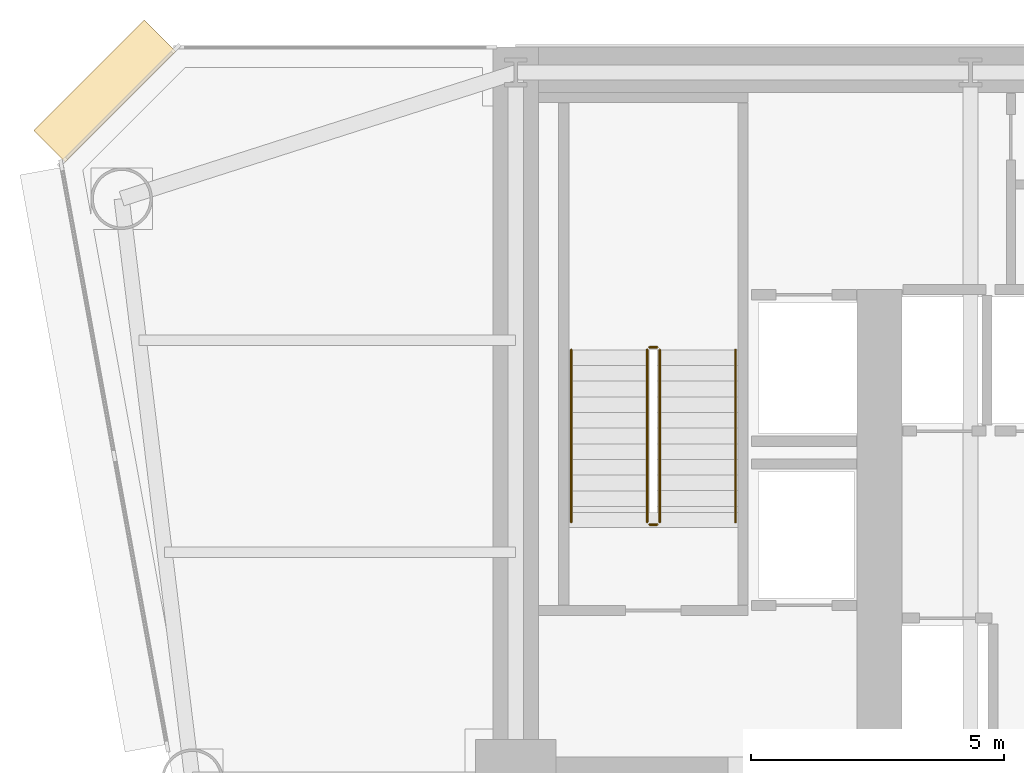
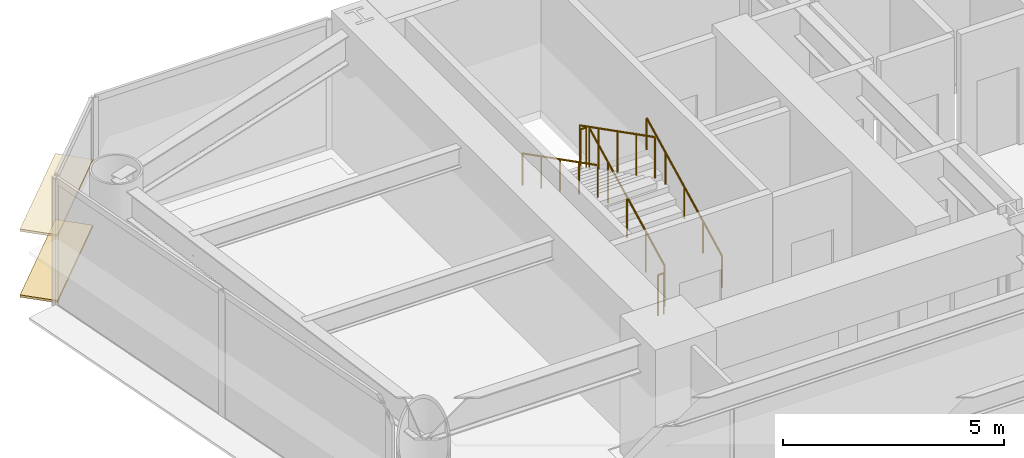
# One storey, part 12 of 14: 6 railings, 2 coverings.
"""IFC4 building model written with IfcOpenShell, lengths in metres."""

from ifc_helpers import new_model, si_unit, direction, frame, origin, origin_2d, place, context, subcontext, project, spatial, rectangle, circle, extrude, source, transform, mapped, material, layer, layer_set, type_object, element, save


model = new_model("IFC4")

# Units and contexts
model_context = context("Model", 3, precision=1e-05, world=origin(), true_north=direction((0.0, 1.0)))
body_context = subcontext(model_context, "Body", "Model", "MODEL_VIEW")
ifc_project = project(units=[si_unit("LENGTHUNIT", "METRE"), si_unit("AREAUNIT", "SQUARE_METRE"), si_unit("VOLUMEUNIT", "CUBIC_METRE"), si_unit("PLANEANGLEUNIT", "RADIAN"), si_unit("MASSUNIT", "GRAM", prefix="KILO")], contexts=[model_context])

# Site, building, storey
site_placement = place(None, origin())
site = spatial("IfcSite", under=ifc_project, at=site_placement, CompositionType="ELEMENT")
building_placement = place(site_placement, origin())
building = spatial("IfcBuilding", under=site, at=building_placement, Name="Vaeldorn Concourse Tower", CompositionType="ELEMENT")
storey_placement = place(building_placement, frame((0.0, 0.0, 45.39990234375)))
storey = spatial("IfcBuildingStorey", under=building, at=storey_placement, Name="L11", CompositionType="ELEMENT", Elevation=45.39990234375)

# Railings
ifc_material = material(Name="Anodised Bronze Aluminium", Category="aluminium")
railing_type_1 = type_object("IfcRailingType", Name="RL-STAIR-GUARD", PredefinedType="GUARDRAIL", material=ifc_material)
railing_1_placement = place(storey_placement, frame((16.85009765625, 41.60009765625, 0.158447265625)))
element("IfcRailing", 1, at=railing_1_placement, inside=storey, type_object=railing_type_1, Name="L11 ST-1 stair guard 1", PredefinedType="GUARDRAIL", context=body_context, shape_type="SweptSolid", body=[
    extrude(circle(Radius=0.02392578125, at=origin_2d()), frame((0.0, 0.0, 1.1259765625), z_axis=(0.0, 0.890555807335, 0.454873997962), x_axis=(-1.0, 0.0, 0.0)), (0.0, 0.0, 1.0), 3.828857421875),
    extrude(circle(Radius=0.02099609375, at=origin_2d()), origin(), (0.0, 0.0, 1.0), 1.101806640625),
    extrude(circle(Radius=0.02099609375, at=origin_2d()), frame((0.0, 0.8525390625, 0.435546875)), (0.0, 0.0, 1.0), 1.101806640625),
    extrude(circle(Radius=0.02099609375, at=origin_2d()), frame((0.0, 1.705078125, 0.870849609375)), (0.0, 0.0, 1.0), 1.101806640625),
    extrude(circle(Radius=0.02099609375, at=origin_2d()), frame((0.0, 2.557373046875, 1.30615234375)), (0.0, 0.0, 1.0), 1.101806640625),
    extrude(circle(Radius=0.02099609375, at=origin_2d()), frame((0.0, 3.409912109375, 1.74169921875)), (0.0, 0.0, 1.0), 1.101806640625),
])
railing_2_placement = place(storey_placement, frame((16.800048828125, 45.06005859375, 1.900146484375)))
element("IfcRailing", 2, at=railing_2_placement, inside=storey, type_object=railing_type_1, Name="L11 ST-1 stair guard 2", PredefinedType="GUARDRAIL", context=body_context, shape_type="SweptSolid", body=[
    extrude(circle(Radius=0.02392578125, at=origin_2d()), frame((0.0, 0.0, 1.1259765625), z_axis=(-1.0, 0.0, 0.0), x_axis=(0.0, -1.0, 0.0)), (0.0, 0.0, 1.0), 0.150146484375),
    extrude(circle(Radius=0.02099609375, at=origin_2d()), origin(), (0.0, 0.0, 1.0), 1.101806640625),
    extrude(circle(Radius=0.02099609375, at=origin_2d()), frame((-0.150146484375, 0.0, 0.0)), (0.0, 0.0, 1.0), 1.101806640625),
])
railing_3_placement = place(storey_placement, frame((16.60009765625, 45.010009765625, 2.058349609375)))
element("IfcRailing", 3, at=railing_3_placement, inside=storey, type_object=railing_type_1, Name="L11 ST-1 stair guard 3", PredefinedType="GUARDRAIL", context=body_context, shape_type="SweptSolid", body=[
    extrude(circle(Radius=0.02392578125, at=origin_2d()), frame((0.0, 0.0, 1.1259765625), z_axis=(0.0, -0.890555807335, 0.454873997962), x_axis=(1.0, 0.0, 0.0)), (0.0, 0.0, 1.0), 3.828857421875),
    extrude(circle(Radius=0.02099609375, at=origin_2d()), origin(), (0.0, 0.0, 1.0), 1.101806640625),
    extrude(circle(Radius=0.02099609375, at=origin_2d()), frame((0.0, -0.8525390625, 0.435546875)), (0.0, 0.0, 1.0), 1.101806640625),
    extrude(circle(Radius=0.02099609375, at=origin_2d()), frame((0.0, -1.705078125, 0.870849609375)), (0.0, 0.0, 1.0), 1.101806640625),
    extrude(circle(Radius=0.02099609375, at=origin_2d()), frame((0.0, -2.557373046875, 1.30615234375)), (0.0, 0.0, 1.0), 1.101806640625),
    extrude(circle(Radius=0.02099609375, at=origin_2d()), frame((0.0, -3.409912109375, 1.74169921875)), (0.0, 0.0, 1.0), 1.101806640625),
])
railing_4_placement = place(storey_placement, frame((16.800048828125, 41.550048828125, 0.0)))
element("IfcRailing", 4, at=railing_4_placement, inside=storey, type_object=railing_type_1, Name="L11 ST-1 stair guard 4", PredefinedType="GUARDRAIL", context=body_context, shape_type="SweptSolid", body=[
    extrude(circle(Radius=0.02392578125, at=origin_2d()), frame((0.0, 0.0, 1.1259765625), z_axis=(-1.0, 0.0, 0.0), x_axis=(0.0, -1.0, 0.0)), (0.0, 0.0, 1.0), 0.150146484375),
    extrude(circle(Radius=0.02099609375, at=origin_2d()), origin(), (0.0, 0.0, 1.0), 1.101806640625),
    extrude(circle(Radius=0.02099609375, at=origin_2d()), frame((-0.150146484375, 0.0, 0.0)), (0.0, 0.0, 1.0), 1.101806640625),
])
railing_type_2 = type_object("IfcRailingType", Name="RL-STAIR-HANDRAIL", PredefinedType="HANDRAIL", material=ifc_material)
railing_5_placement = place(storey_placement, frame((18.35009765625, 41.60009765625, 0.158447265625)))
element("IfcRailing", 5, at=railing_5_placement, inside=storey, type_object=railing_type_2, Name="L11 ST-1 stair handrail 1", PredefinedType="HANDRAIL", context=body_context, shape_type="SweptSolid", body=[
    extrude(circle(Radius=0.02392578125, at=origin_2d()), frame((0.0, 0.0, 0.8759765625), z_axis=(0.0, 0.890555807335, 0.454873997962), x_axis=(-1.0, 0.0, 0.0)), (0.0, 0.0, 1.0), 3.828857421875),
    extrude(circle(Radius=0.02099609375, at=origin_2d()), origin(), (0.0, 0.0, 1.0), 0.851806640625),
    extrude(circle(Radius=0.02099609375, at=origin_2d()), frame((0.0, 0.8525390625, 0.435546875)), (0.0, 0.0, 1.0), 0.851806640625),
    extrude(circle(Radius=0.02099609375, at=origin_2d()), frame((0.0, 1.705078125, 0.870849609375)), (0.0, 0.0, 1.0), 0.851806640625),
    extrude(circle(Radius=0.02099609375, at=origin_2d()), frame((0.0, 2.557373046875, 1.30615234375)), (0.0, 0.0, 1.0), 0.851806640625),
    extrude(circle(Radius=0.02099609375, at=origin_2d()), frame((0.0, 3.409912109375, 1.74169921875)), (0.0, 0.0, 1.0), 0.851806640625),
])
railing_6_placement = place(storey_placement, frame((15.10009765625, 45.010009765625, 2.058349609375)))
element("IfcRailing", 6, at=railing_6_placement, inside=storey, type_object=railing_type_2, Name="L11 ST-1 stair handrail 2", PredefinedType="HANDRAIL", context=body_context, shape_type="SweptSolid", body=[
    extrude(circle(Radius=0.02392578125, at=origin_2d()), frame((0.0, 0.0, 0.8759765625), z_axis=(0.0, -0.890555807335, 0.454873997962), x_axis=(1.0, 0.0, 0.0)), (0.0, 0.0, 1.0), 3.828857421875),
    extrude(circle(Radius=0.02099609375, at=origin_2d()), origin(), (0.0, 0.0, 1.0), 0.851806640625),
    extrude(circle(Radius=0.02099609375, at=origin_2d()), frame((0.0, -0.8525390625, 0.435546875)), (0.0, 0.0, 1.0), 0.851806640625),
    extrude(circle(Radius=0.02099609375, at=origin_2d()), frame((0.0, -1.705078125, 0.870849609375)), (0.0, 0.0, 1.0), 0.851806640625),
    extrude(circle(Radius=0.02099609375, at=origin_2d()), frame((0.0, -2.557373046875, 1.30615234375)), (0.0, 0.0, 1.0), 0.851806640625),
    extrude(circle(Radius=0.02099609375, at=origin_2d()), frame((0.0, -3.409912109375, 1.74169921875)), (0.0, 0.0, 1.0), 0.851806640625),
])

# Coverings
ifc_layer = layer(ifc_material, 0.06494140625)
ifc_layer_set = layer_set([ifc_layer], Name="Anodised Bronze Aluminium")
covering_type = type_object("IfcCoveringType", Name="SD-BRONZE-SUNSHADE", PredefinedType="USERDEFINED", material=ifc_layer_set)
shared_shape = source(origin(), body_context, "Body", "SweptSolid", [
    extrude(rectangle(XDim=3.0927734375, YDim=0.8798828125, at=origin_2d()), origin(), (0.0, 0.0, 1.0), 0.06494140625),
])
for number, where, z_axis, x_axis, name in (
    (7, (5.8671875, 50.1328125, 0.047607421875), (0.0, 0.0, 1.0), (-0.707106781187, -0.707106781187, 0.0), "Horizontal Bronze Sunshade L11-E10.1.1"),
    (8, (5.8671875, 50.1328125, 1.86767578125), (0.0, 0.0, 1.0), (-0.707106781187, -0.707106781187, 0.0), "Horizontal Bronze Sunshade L11-E10.1.2"),
):
    element("IfcCovering", number, at=place(storey_placement, frame(where, z_axis=z_axis, x_axis=x_axis)), inside=storey, type_object=covering_type, Name=name, ObjectType="SUNSHADE", PredefinedType="USERDEFINED", context=body_context, shape_type="MappedRepresentation", body=[
        mapped(shared_shape, transform((0.0, 0.0, 0.0), scale=1.0)),
    ])

save(model, "model.ifc")
